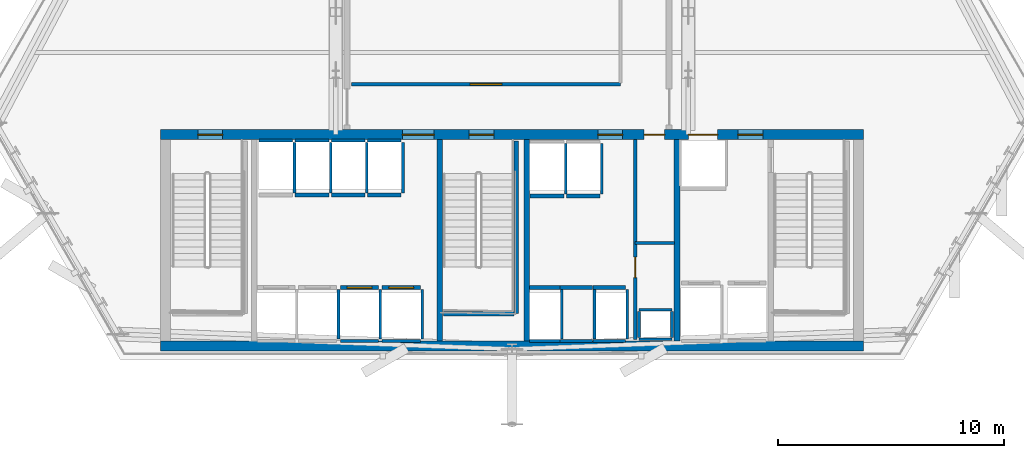
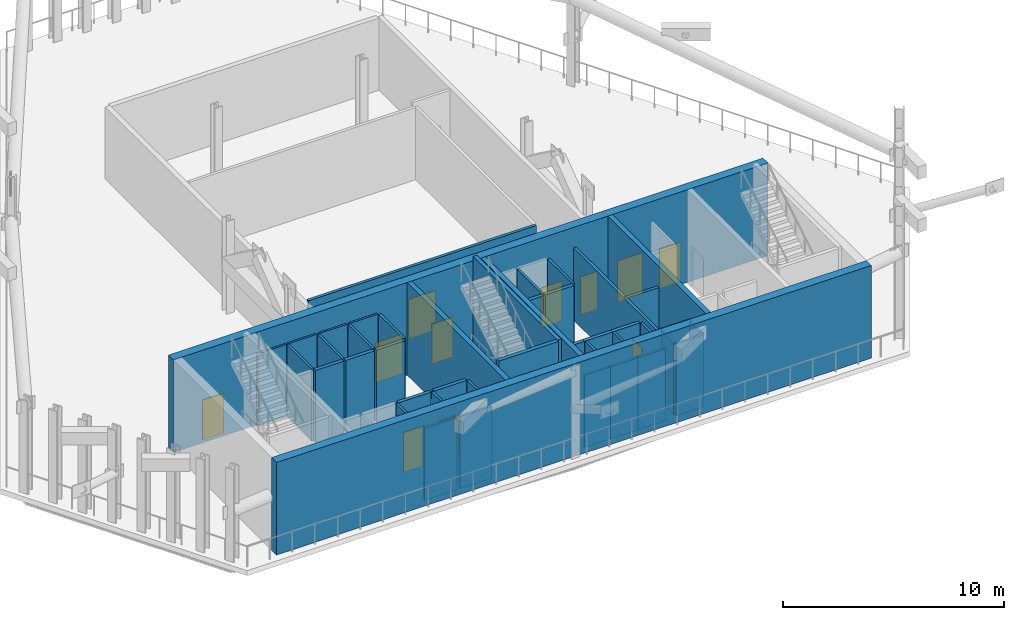
# One storey, part 4 of 11: 45 walls, 11 doors, 11 openings.
"""IFC4 building model written with IfcOpenShell, lengths in metres."""

from ifc_helpers import new_model, si_unit, direction, frame, frame_2d, origin, place, context, subcontext, project, spatial, rectangle, extrude, material, layer, layer_set, type_object, element, fill, save


model = new_model("IFC4")

# Units and contexts
model_context = context("Model", 3, precision=1e-05, world=origin(), true_north=direction((0.0, 1.0)))
body_context = subcontext(model_context, "Body", "Model", "MODEL_VIEW")
ifc_project = project(units=[si_unit("LENGTHUNIT", "METRE"), si_unit("AREAUNIT", "SQUARE_METRE"), si_unit("VOLUMEUNIT", "CUBIC_METRE"), si_unit("PLANEANGLEUNIT", "RADIAN"), si_unit("MASSUNIT", "GRAM", prefix="KILO")], contexts=[model_context])

# Site, building, storey
site_placement = place(None, origin())
site = spatial("IfcSite", under=ifc_project, at=site_placement, CompositionType="ELEMENT")
building_placement = place(site_placement, origin())
building = spatial("IfcBuilding", under=site, at=building_placement, Name="Ndaravel Arena Tower", CompositionType="ELEMENT")
storey_placement = place(building_placement, frame((0.0, 0.0, 112.0)))
storey = spatial("IfcBuildingStorey", under=building, at=storey_placement, Name="L26", CompositionType="ELEMENT", Elevation=112.0)

# Wall, opening, door
ifc_material_1 = material(Name="Gypsum", Category="gypsum")
ifc_layer_1 = layer(ifc_material_1, 0.14990234375)
ifc_layer_set_1 = layer_set([ifc_layer_1], Name="Gypsum")
wall_type_1 = type_object("IfcWallType", Name="WALL-COMP-150", PredefinedType="PARTITIONING", material=ifc_layer_set_1)
wall_1_placement = place(storey_placement, frame((47.449951171875, 5.89990234375, 0.0), z_axis=(0.0, 0.0, 1.0), x_axis=(0.0, 1.0, 0.0)))
wall_1 = element("IfcWall", 1, at=wall_1_placement, inside=storey, type_object=wall_type_1, Name="L26 Core Riser Bay Partition", PredefinedType="PARTITIONING", context=body_context, shape_type="SweptSolid", body=[
    extrude(rectangle(XDim=8.85009765625, YDim=0.14990234375, at=frame_2d((4.425048828125, 0.0))), origin(), (0.0, 0.0, 1.0), 3.989990234375),
])
opening_1_placement = place(wall_1_placement, frame((2.75, 0.0, 0.0)))
opening_1 = element("IfcOpeningElement", 2, at=opening_1_placement, cuts=wall_1, Name="Opening RD-01", PredefinedType="OPENING", context=body_context, shape_type="SweptSolid", body=[
    extrude(rectangle(XDim=0.89990234375, YDim=2.10009765625, at=frame_2d((0.449951171875, 1.050048828125))), frame((0.0, 0.074951171875, 0.0), z_axis=(0.0, -1.0, 0.0), x_axis=(1.0, 0.0, 0.0)), (0.0, 0.0, 1.0), 0.14990234375),
])
ifc_material_2 = material(Name="Steel S355", Category="steel")
door_type_1 = type_object("IfcDoorType", Name="DT-08-RISER-900", OperationType="SINGLE_SWING_LEFT", PredefinedType="DOOR", material=ifc_material_2)
door_1_placement = place(opening_1_placement, origin())
door_1 = element("IfcDoor", 3, at=door_1_placement, inside=storey, type_object=door_type_1, Name="L26 Electrical Riser Door", OperationType="SINGLE_SWING_RIGHT", OverallHeight=2.10009765625, OverallWidth=0.89990234375, PredefinedType="DOOR", context=body_context, shape_type="SweptSolid", body=[
    extrude(rectangle(XDim=0.89990234375, YDim=2.10009765625, at=frame_2d((0.449951171875, 1.050048828125))), frame((0.0, 0.02490234375, 0.0), z_axis=(0.0, -1.0, 0.0), x_axis=(1.0, 0.0, 0.0)), (0.0, 0.0, 1.0), 0.050048828125),
])
fill(opening_1, door_1)

# Wall
wall_2_placement = place(storey_placement, frame((47.449951171875, 10.179931640625, 0.0), z_axis=(0.0, 0.0, 1.0), x_axis=(1.0, 0.0, 0.0)))
element("IfcWall", 4, at=wall_2_placement, inside=storey, type_object=wall_type_1, Name="L26 Core Riser Divider 1", PredefinedType="PARTITIONING", context=body_context, shape_type="SweptSolid", body=[
    extrude(rectangle(XDim=1.72998046875, YDim=0.14990234375, at=frame_2d((0.864990234375, 0.0))), origin(), (0.0, 0.0, 1.0), 3.989990234375),
])

# Wall, opening, door
wall_3_placement = place(storey_placement, frame((34.89990234375, 17.199951171875, 0.0), z_axis=(0.0, 0.0, 1.0), x_axis=(1.0, 0.0, 0.0)))
wall_3 = element("IfcWall", 5, at=wall_3_placement, inside=storey, type_object=wall_type_1, Name="L26 Interior Partition 001", PredefinedType="PARTITIONING", context=body_context, shape_type="SweptSolid", body=[
    extrude(rectangle(XDim=11.900146484375, YDim=0.14990234375, at=frame_2d((5.9501953125, 0.0))), origin(), (0.0, 0.0, 1.0), 3.989990234375),
])
opening_2_placement = place(wall_3_placement, frame((5.25, 0.0, 0.0)))
opening_2 = element("IfcOpeningElement", 6, at=opening_2_placement, cuts=wall_3, Name="Opening ID-02", PredefinedType="OPENING", context=body_context, shape_type="SweptSolid", body=[
    extrude(rectangle(XDim=1.39990234375, YDim=2.199951171875, at=frame_2d((0.699951171875, 1.10009765625))), frame((0.0, 0.074951171875, 0.0), z_axis=(0.0, -1.0, 0.0), x_axis=(1.0, 0.0, 0.0)), (0.0, 0.0, 1.0), 0.14990234375),
])
ifc_material_3 = material(Name="Timber", Category="wood")
door_type_2 = type_object("IfcDoorType", Name="DT-04-SUITE-1400", OperationType="DOUBLE_DOOR_SINGLE_SWING", PredefinedType="DOOR", material=ifc_material_3)
door_2_placement = place(opening_2_placement, origin())
door_2 = element("IfcDoor", 7, at=door_2_placement, inside=storey, type_object=door_type_2, Name="L26 L26 Pressurized Fire Refuge Holding Area Door", OperationType="SINGLE_SWING_LEFT", OverallHeight=2.199951171875, OverallWidth=1.39990234375, PredefinedType="DOOR", context=body_context, shape_type="SweptSolid", body=[
    extrude(rectangle(XDim=1.39990234375, YDim=2.199951171875, at=frame_2d((0.699951171875, 1.10009765625))), frame((0.0, 0.02490234375, 0.0), z_axis=(0.0, -1.0, 0.0), x_axis=(1.0, 0.0, 0.0)), (0.0, 0.0, 1.0), 0.050048828125),
])
fill(opening_2, door_2)

# Walls
ifc_material_4 = material(Name="Concrete C60/75", Category="concrete")
ifc_layer_2 = layer(ifc_material_4, 0.25)
ifc_layer_set_2 = layer_set([ifc_layer_2], Name="Concrete C60/75")
wall_type_2 = type_object("IfcWallType", Name="WALL-CORE-250", PredefinedType="SOLIDWALL", material=ifc_layer_set_2)
for number, where, z_axis, x_axis, name in (
    (8, (38.800048828125, 5.85009765625, 0.0), (0.0, 0.0, 1.0), (0.0, 1.0, 0.0), "L26 Core Web Shear Wall 2"),
    (9, (42.64990234375, 5.85009765625, 0.0), (0.0, 0.0, 1.0), (0.0, 1.0, 0.0), "L26 Core Web Shear Wall 3"),
    (10, (49.300048828125, 5.85009765625, 0.0), (0.0, 0.0, 1.0), (0.0, 1.0, 0.0), "L26 Core Web Shear Wall 4"),
):
    element("IfcWall", number, at=place(storey_placement, frame(where, z_axis=z_axis, x_axis=x_axis)), inside=storey, type_object=wall_type_2, Name=name, PredefinedType="SOLIDWALL", context=body_context, shape_type="SweptSolid", body=[
        extrude(rectangle(XDim=8.89990234375, YDim=0.25, at=frame_2d((4.449951171875, 0.0))), origin(), (0.0, 0.0, 1.0), 5.1201171875),
    ])

# Wall, openings, doors
ifc_material_5 = material(Name="Concrete C60/75", Category="concrete")
ifc_layer_3 = layer(ifc_material_5, 0.449951171875)
ifc_layer_set_3 = layer_set([ifc_layer_3], Name="Concrete C60/75")
wall_type_3 = type_object("IfcWallType", Name="WALL-CORE-450", PredefinedType="SOLIDWALL", material=ifc_layer_set_3)
wall_4_placement = place(storey_placement, frame((26.449951171875, 14.97509765625, 0.0), z_axis=(0.0, 0.0, 1.0), x_axis=(1.0, 0.0, 0.0)))
wall_4 = element("IfcWall", 11, at=wall_4_placement, inside=storey, type_object=wall_type_3, Name="L26 Core North Shear Wall", PredefinedType="SOLIDWALL", context=body_context, shape_type="SweptSolid", body=[
    extrude(rectangle(XDim=31.10009765625, YDim=0.449951171875, at=frame_2d((15.550048828125, 0.0))), origin(), (0.0, 0.0, 1.0), 5.1201171875),
])
opening_3_placement = place(wall_4_placement, frame((1.64990234375, 0.0, 0.0)))
opening_3 = element("IfcOpeningElement", 12, at=opening_3_placement, cuts=wall_4, Name="Opening FD-01", PredefinedType="OPENING", context=body_context, shape_type="SweptSolid", body=[
    extrude(rectangle(XDim=1.10009765625, YDim=2.199951171875, at=frame_2d((0.550048828125, 1.10009765625))), frame((0.0, 0.22509765625, 0.0), z_axis=(0.0, -1.0, 0.0), x_axis=(1.0, 0.0, 0.0)), (0.0, 0.0, 1.0), 0.449951171875),
])
opening_4_placement = place(wall_4_placement, frame((13.64990234375, 0.0, 0.0)))
opening_4 = element("IfcOpeningElement", 13, at=opening_4_placement, cuts=wall_4, Name="Opening FD-01", PredefinedType="OPENING", context=body_context, shape_type="SweptSolid", body=[
    extrude(rectangle(XDim=1.10009765625, YDim=2.199951171875, at=frame_2d((0.550048828125, 1.10009765625))), frame((0.0, 0.22509765625, 0.0), z_axis=(0.0, -1.0, 0.0), x_axis=(1.0, 0.0, 0.0)), (0.0, 0.0, 1.0), 0.449951171875),
])
opening_5_placement = place(wall_4_placement, frame((25.550048828125, 0.0, 0.0)))
opening_5 = element("IfcOpeningElement", 14, at=opening_5_placement, cuts=wall_4, Name="Opening FD-01", PredefinedType="OPENING", context=body_context, shape_type="SweptSolid", body=[
    extrude(rectangle(XDim=1.10009765625, YDim=2.199951171875, at=frame_2d((0.550048828125, 1.10009765625))), frame((0.0, 0.22509765625, 0.0), z_axis=(0.0, -1.0, 0.0), x_axis=(1.0, 0.0, 0.0)), (0.0, 0.0, 1.0), 0.449951171875),
])
opening_6_placement = place(wall_4_placement, frame((10.699951171875, 0.0, 0.0)))
opening_6 = element("IfcOpeningElement", 15, at=opening_6_placement, cuts=wall_4, Name="Opening ID-02", PredefinedType="OPENING", context=body_context, shape_type="SweptSolid", body=[
    extrude(rectangle(XDim=1.39990234375, YDim=2.199951171875, at=frame_2d((0.699951171875, 1.10009765625))), frame((0.0, 0.22509765625, 0.0), z_axis=(0.0, -1.0, 0.0), x_axis=(1.0, 0.0, 0.0)), (0.0, 0.0, 1.0), 0.449951171875),
])
opening_7_placement = place(wall_4_placement, frame((19.35009765625, 0.0, 0.0)))
opening_7 = element("IfcOpeningElement", 16, at=opening_7_placement, cuts=wall_4, Name="Opening FD-01", PredefinedType="OPENING", context=body_context, shape_type="SweptSolid", body=[
    extrude(rectangle(XDim=1.10009765625, YDim=2.199951171875, at=frame_2d((0.550048828125, 1.10009765625))), frame((0.0, 0.22509765625, 0.0), z_axis=(0.0, -1.0, 0.0), x_axis=(1.0, 0.0, 0.0)), (0.0, 0.0, 1.0), 0.449951171875),
])
opening_8_placement = place(wall_4_placement, frame((21.39990234375, 0.0, 0.0)))
opening_8 = element("IfcOpeningElement", 17, at=opening_8_placement, cuts=wall_4, Name="Opening RD-01", PredefinedType="OPENING", context=body_context, shape_type="SweptSolid", body=[
    extrude(rectangle(XDim=0.89990234375, YDim=2.10009765625, at=frame_2d((0.449951171875, 1.050048828125))), frame((0.0, 0.22509765625, 0.0), z_axis=(0.0, -1.0, 0.0), x_axis=(1.0, 0.0, 0.0)), (0.0, 0.0, 1.0), 0.449951171875),
])
opening_9_placement = place(wall_4_placement, frame((23.35009765625, 0.0, 0.0)))
opening_9 = element("IfcOpeningElement", 18, at=opening_9_placement, cuts=wall_4, Name="Opening LD-02", PredefinedType="OPENING", context=body_context, shape_type="SweptSolid", body=[
    extrude(rectangle(XDim=1.300048828125, YDim=2.300048828125, at=frame_2d((0.64990234375, 1.14990234375))), frame((0.0, 0.22509765625, 0.0), z_axis=(0.0, -1.0, 0.0), x_axis=(1.0, 0.0, 0.0)), (0.0, 0.0, 1.0), 0.449951171875),
])
ifc_material_6 = material(Name="Steel S355", Category="steel")
door_type_3 = type_object("IfcDoorType", Name="DT-01-STAIR-1100", OperationType="SINGLE_SWING_LEFT", PredefinedType="DOOR", material=ifc_material_6)
door_3_placement = place(opening_3_placement, origin())
door_3 = element("IfcDoor", 19, at=door_3_placement, inside=storey, type_object=door_type_3, Name="L26 Exit Stair ST-1 Door", OperationType="SINGLE_SWING_LEFT", OverallHeight=2.199951171875, OverallWidth=1.10009765625, PredefinedType="DOOR", context=body_context, shape_type="SweptSolid", body=[
    extrude(rectangle(XDim=1.10009765625, YDim=2.199951171875, at=frame_2d((0.550048828125, 1.10009765625))), frame((0.0, 0.02490234375, 0.0), z_axis=(0.0, -1.0, 0.0), x_axis=(1.0, 0.0, 0.0)), (0.0, 0.0, 1.0), 0.050048828125),
])
fill(opening_3, door_3)
door_4_placement = place(opening_4_placement, origin())
door_4 = element("IfcDoor", 20, at=door_4_placement, inside=storey, type_object=door_type_3, Name="L26 Exit Stair ST-2 Door", OperationType="SINGLE_SWING_RIGHT", OverallHeight=2.199951171875, OverallWidth=1.10009765625, PredefinedType="DOOR", context=body_context, shape_type="SweptSolid", body=[
    extrude(rectangle(XDim=1.10009765625, YDim=2.199951171875, at=frame_2d((0.550048828125, 1.10009765625))), frame((0.0, 0.02490234375, 0.0), z_axis=(0.0, -1.0, 0.0), x_axis=(1.0, 0.0, 0.0)), (0.0, 0.0, 1.0), 0.050048828125),
])
fill(opening_4, door_4)
door_5_placement = place(opening_5_placement, origin())
door_5 = element("IfcDoor", 21, at=door_5_placement, inside=storey, type_object=door_type_3, Name="L26 Firefighting Lift Lobby Door", OperationType="SINGLE_SWING_RIGHT", OverallHeight=2.199951171875, OverallWidth=1.10009765625, PredefinedType="DOOR", context=body_context, shape_type="SweptSolid", body=[
    extrude(rectangle(XDim=1.10009765625, YDim=2.199951171875, at=frame_2d((0.550048828125, 1.10009765625))), frame((0.0, 0.02490234375, 0.0), z_axis=(0.0, -1.0, 0.0), x_axis=(1.0, 0.0, 0.0)), (0.0, 0.0, 1.0), 0.050048828125),
])
fill(opening_5, door_5)
door_6_placement = place(opening_7_placement, origin())
door_6 = element("IfcDoor", 22, at=door_6_placement, inside=storey, type_object=door_type_3, Name="L26 Express Lift Lobby Entry Door", OperationType="SINGLE_SWING_LEFT", OverallHeight=2.199951171875, OverallWidth=1.10009765625, PredefinedType="DOOR", context=body_context, shape_type="SweptSolid", body=[
    extrude(rectangle(XDim=1.10009765625, YDim=2.199951171875, at=frame_2d((0.550048828125, 1.10009765625))), frame((0.0, 0.02490234375, 0.0), z_axis=(0.0, -1.0, 0.0), x_axis=(1.0, 0.0, 0.0)), (0.0, 0.0, 1.0), 0.050048828125),
])
fill(opening_7, door_6)
door_7_placement = place(opening_6_placement, origin())
door_7 = element("IfcDoor", 23, at=door_7_placement, inside=storey, type_object=door_type_2, Name="L26 West Lift Lobby Entry Door", OperationType="DOUBLE_DOOR_SINGLE_SWING", OverallHeight=2.199951171875, OverallWidth=1.39990234375, PredefinedType="DOOR", context=body_context, shape_type="SweptSolid", body=[
    extrude(rectangle(XDim=1.39990234375, YDim=2.199951171875, at=frame_2d((0.699951171875, 1.10009765625))), frame((0.0, 0.02490234375, 0.0), z_axis=(0.0, -1.0, 0.0), x_axis=(1.0, 0.0, 0.0)), (0.0, 0.0, 1.0), 0.050048828125),
])
fill(opening_6, door_7)
ifc_material_7 = material(Name="Steel S355", Category="steel")
door_type_4 = type_object("IfcDoorType", Name="DT-07-SVLIFT-1300", OperationType="DOUBLE_DOOR_SLIDING", PredefinedType="DOOR", material=ifc_material_7)
door_8_placement = place(opening_9_placement, origin())
door_8 = element("IfcDoor", 24, at=door_8_placement, inside=storey, type_object=door_type_4, Name="L26 Lift SVL-1 Sliding Landing Door", OperationType="DOUBLE_DOOR_SLIDING", OverallHeight=2.300048828125, OverallWidth=1.300048828125, PredefinedType="DOOR", context=body_context, shape_type="SweptSolid", body=[
    extrude(rectangle(XDim=1.300048828125, YDim=2.300048828125, at=frame_2d((0.64990234375, 1.14990234375))), frame((0.0, 0.02490234375, 0.0), z_axis=(0.0, -1.0, 0.0), x_axis=(1.0, 0.0, 0.0)), (0.0, 0.0, 1.0), 0.050048828125),
])
fill(opening_9, door_8)
door_9_placement = place(opening_8_placement, origin())
door_9 = element("IfcDoor", 25, at=door_9_placement, inside=storey, type_object=door_type_1, Name="L26 Core Service Riser North Door", OperationType="SINGLE_SWING_LEFT", OverallHeight=2.10009765625, OverallWidth=0.89990234375, PredefinedType="DOOR", context=body_context, shape_type="SweptSolid", body=[
    extrude(rectangle(XDim=0.89990234375, YDim=2.10009765625, at=frame_2d((0.449951171875, 1.050048828125))), frame((0.0, 0.02490234375, 0.0), z_axis=(0.0, -1.0, 0.0), x_axis=(1.0, 0.0, 0.0)), (0.0, 0.0, 1.0), 0.050048828125),
])
fill(opening_8, door_9)

# Walls
wall_5_placement = place(storey_placement, frame((26.449951171875, 5.625, 0.0), z_axis=(0.0, 0.0, 1.0), x_axis=(1.0, 0.0, 0.0)))
element("IfcWall", 26, at=wall_5_placement, inside=storey, type_object=wall_type_3, Name="L26 Core South Shear Wall", PredefinedType="SOLIDWALL", context=body_context, shape_type="SweptSolid", body=[
    extrude(rectangle(XDim=31.10009765625, YDim=0.449951171875, at=frame_2d((15.550048828125, 0.0))), origin(), (0.0, 0.0, 1.0), 5.1201171875),
])
ifc_material_8 = material(Name="Concrete C40/50", Category="concrete")
ifc_layer_4 = layer(ifc_material_8, 0.1201171875)
ifc_layer_set_4 = layer_set([ifc_layer_4], Name="Concrete C40/50")
wall_type_4 = type_object("IfcWallType", Name="WALL-SHAFT-120", PredefinedType="SOLIDWALL", material=ifc_layer_set_4)
for number, where, z_axis, x_axis, name in (
    (27, (47.6201171875, 5.919921875, 0.0), (0.0, 0.0, 1.0), (1.0, 0.0, 0.0), "L26 MEP Riser Shaft S Wall"),
    (28, (47.6201171875, 7.219970703125, 0.0), (0.0, 0.0, 1.0), (1.0, 0.0, 0.0), "L26 MEP Riser Shaft N Wall"),
):
    element("IfcWall", number, at=place(storey_placement, frame(where, z_axis=z_axis, x_axis=x_axis)), inside=storey, type_object=wall_type_4, Name=name, PredefinedType="SOLIDWALL", context=body_context, shape_type="SweptSolid", body=[
        extrude(rectangle(XDim=1.4599609375, YDim=0.1201171875, at=frame_2d((0.72998046875, 0.0))), origin(), (0.0, 0.0, 1.0), 3.989990234375),
    ])
for number, where, z_axis, x_axis, name in (
    (29, (47.6201171875, 6.0, 0.0), (0.0, 0.0, 1.0), (0.0, 1.0, 0.0), "L26 MEP Riser Shaft W Wall"),
    (30, (49.080078125, 6.0, 0.0), (0.0, 0.0, 1.0), (0.0, 1.0, 0.0), "L26 MEP Riser Shaft E Wall"),
):
    element("IfcWall", number, at=place(storey_placement, frame(where, z_axis=z_axis, x_axis=x_axis)), inside=storey, type_object=wall_type_4, Name=name, PredefinedType="SOLIDWALL", context=body_context, shape_type="SweptSolid", body=[
        extrude(rectangle(XDim=1.139892578125, YDim=0.1201171875, at=frame_2d((0.56982421875, 0.0))), origin(), (0.0, 0.0, 1.0), 3.989990234375),
    ])
wall_6_placement = place(storey_placement, frame((34.324951171875, 5.929931640625, 0.0), z_axis=(0.0, 0.0, 1.0), x_axis=(0.0, 1.0, 0.0)))
element("IfcWall", 31, at=wall_6_placement, inside=storey, type_object=wall_type_4, Name="L26 PL-L2 Shaft Side R Wall", PredefinedType="SOLIDWALL", context=body_context, shape_type="SweptSolid", body=[
    extrude(rectangle(XDim=2.18017578125, YDim=0.1201171875, at=frame_2d((1.090087890625, 0.0))), origin(), (0.0, 0.0, 1.0), 3.989990234375),
])
wall_7_placement = place(storey_placement, frame((34.405029296875, 5.840087890625, 0.0), z_axis=(0.0, 0.0, 1.0), x_axis=(1.0, 0.0, 0.0)))
element("IfcWall", 32, at=wall_7_placement, inside=storey, type_object=wall_type_4, Name="L26 PL-L3 Shaft Rear Wall", PredefinedType="SOLIDWALL", context=body_context, shape_type="SweptSolid", body=[
    extrude(rectangle(XDim=1.68994140625, YDim=0.1201171875, at=frame_2d((0.844970703125, 0.0))), origin(), (0.0, 0.0, 1.0), 3.989990234375),
])
wall_8_placement = place(storey_placement, frame((36.175048828125, 5.929931640625, 0.0), z_axis=(0.0, 0.0, 1.0), x_axis=(0.0, 1.0, 0.0)))
element("IfcWall", 33, at=wall_8_placement, inside=storey, type_object=wall_type_4, Name="L26 PL-L3 Shaft Side R Wall", PredefinedType="SOLIDWALL", context=body_context, shape_type="SweptSolid", body=[
    extrude(rectangle(XDim=2.18017578125, YDim=0.1201171875, at=frame_2d((1.090087890625, 0.0))), origin(), (0.0, 0.0, 1.0), 3.989990234375),
])
wall_9_placement = place(storey_placement, frame((36.2548828125, 5.840087890625, 0.0), z_axis=(0.0, 0.0, 1.0), x_axis=(1.0, 0.0, 0.0)))
element("IfcWall", 34, at=wall_9_placement, inside=storey, type_object=wall_type_4, Name="L26 PL-L4 Shaft Rear Wall", PredefinedType="SOLIDWALL", context=body_context, shape_type="SweptSolid", body=[
    extrude(rectangle(XDim=1.690185546875, YDim=0.1201171875, at=frame_2d((0.84521484375, 0.0))), origin(), (0.0, 0.0, 1.0), 3.989990234375),
])
wall_10_placement = place(storey_placement, frame((38.02490234375, 5.929931640625, 0.0), z_axis=(0.0, 0.0, 1.0), x_axis=(0.0, 1.0, 0.0)))
element("IfcWall", 35, at=wall_10_placement, inside=storey, type_object=wall_type_4, Name="L26 PL-L4 Shaft Side R Wall", PredefinedType="SOLIDWALL", context=body_context, shape_type="SweptSolid", body=[
    extrude(rectangle(XDim=2.18017578125, YDim=0.1201171875, at=frame_2d((1.090087890625, 0.0))), origin(), (0.0, 0.0, 1.0), 3.989990234375),
])
wall_11_placement = place(storey_placement, frame((30.804931640625, 14.7099609375, 0.0), z_axis=(0.0, 0.0, 1.0), x_axis=(1.0, 0.0, 0.0)))
element("IfcWall", 36, at=wall_11_placement, inside=storey, type_object=wall_type_4, Name="L26 PL-M1 Shaft Rear Wall", PredefinedType="SOLIDWALL", context=body_context, shape_type="SweptSolid", body=[
    extrude(rectangle(XDim=1.489990234375, YDim=0.1201171875, at=frame_2d((0.7451171875, 0.0))), origin(), (0.0, 0.0, 1.0), 3.989990234375),
])
wall_12_placement = place(storey_placement, frame((32.375, 12.389892578125, 0.0), z_axis=(0.0, 0.0, 1.0), x_axis=(0.0, 1.0, 0.0)))
element("IfcWall", 37, at=wall_12_placement, inside=storey, type_object=wall_type_4, Name="L26 PL-M1 Shaft Side R Wall", PredefinedType="SOLIDWALL", context=body_context, shape_type="SweptSolid", body=[
    extrude(rectangle(XDim=2.230224609375, YDim=0.1201171875, at=frame_2d((1.115234375, 0.0))), origin(), (0.0, 0.0, 1.0), 3.989990234375),
])
wall_13_placement = place(storey_placement, frame((32.405029296875, 14.7099609375, 0.0), z_axis=(0.0, 0.0, 1.0), x_axis=(1.0, 0.0, 0.0)))
element("IfcWall", 38, at=wall_13_placement, inside=storey, type_object=wall_type_4, Name="L26 PL-M2 Shaft Rear Wall", PredefinedType="SOLIDWALL", context=body_context, shape_type="SweptSolid", body=[
    extrude(rectangle(XDim=1.489990234375, YDim=0.1201171875, at=frame_2d((0.7451171875, 0.0))), origin(), (0.0, 0.0, 1.0), 3.989990234375),
])
wall_14_placement = place(storey_placement, frame((33.97509765625, 12.389892578125, 0.0), z_axis=(0.0, 0.0, 1.0), x_axis=(0.0, 1.0, 0.0)))
element("IfcWall", 39, at=wall_14_placement, inside=storey, type_object=wall_type_4, Name="L26 PL-M2 Shaft Side R Wall", PredefinedType="SOLIDWALL", context=body_context, shape_type="SweptSolid", body=[
    extrude(rectangle(XDim=2.230224609375, YDim=0.1201171875, at=frame_2d((1.115234375, 0.0))), origin(), (0.0, 0.0, 1.0), 3.989990234375),
])
wall_15_placement = place(storey_placement, frame((34.0048828125, 14.7099609375, 0.0), z_axis=(0.0, 0.0, 1.0), x_axis=(1.0, 0.0, 0.0)))
element("IfcWall", 40, at=wall_15_placement, inside=storey, type_object=wall_type_4, Name="L26 PL-M3 Shaft Rear Wall", PredefinedType="SOLIDWALL", context=body_context, shape_type="SweptSolid", body=[
    extrude(rectangle(XDim=1.490234375, YDim=0.1201171875, at=frame_2d((0.7451171875, 0.0))), origin(), (0.0, 0.0, 1.0), 3.989990234375),
])
wall_16_placement = place(storey_placement, frame((35.574951171875, 12.389892578125, 0.0), z_axis=(0.0, 0.0, 1.0), x_axis=(0.0, 1.0, 0.0)))
element("IfcWall", 41, at=wall_16_placement, inside=storey, type_object=wall_type_4, Name="L26 PL-M3 Shaft Side R Wall", PredefinedType="SOLIDWALL", context=body_context, shape_type="SweptSolid", body=[
    extrude(rectangle(XDim=2.230224609375, YDim=0.1201171875, at=frame_2d((1.115234375, 0.0))), origin(), (0.0, 0.0, 1.0), 3.989990234375),
])
wall_17_placement = place(storey_placement, frame((35.60498046875, 14.7099609375, 0.0), z_axis=(0.0, 0.0, 1.0), x_axis=(1.0, 0.0, 0.0)))
element("IfcWall", 42, at=wall_17_placement, inside=storey, type_object=wall_type_4, Name="L26 PL-M4 Shaft Rear Wall", PredefinedType="SOLIDWALL", context=body_context, shape_type="SweptSolid", body=[
    extrude(rectangle(XDim=1.489990234375, YDim=0.1201171875, at=frame_2d((0.7451171875, 0.0))), origin(), (0.0, 0.0, 1.0), 3.989990234375),
])
wall_18_placement = place(storey_placement, frame((37.175048828125, 12.389892578125, 0.0), z_axis=(0.0, 0.0, 1.0), x_axis=(0.0, 1.0, 0.0)))
element("IfcWall", 43, at=wall_18_placement, inside=storey, type_object=wall_type_4, Name="L26 PL-M4 Shaft Side R Wall", PredefinedType="SOLIDWALL", context=body_context, shape_type="SweptSolid", body=[
    extrude(rectangle(XDim=2.230224609375, YDim=0.1201171875, at=frame_2d((1.115234375, 0.0))), origin(), (0.0, 0.0, 1.0), 3.989990234375),
])
wall_19_placement = place(storey_placement, frame((42.780029296875, 5.840087890625, 0.0), z_axis=(0.0, 0.0, 1.0), x_axis=(1.0, 0.0, 0.0)))
element("IfcWall", 44, at=wall_19_placement, inside=storey, type_object=wall_type_4, Name="L26 PL-H1 Shaft Rear Wall", PredefinedType="SOLIDWALL", context=body_context, shape_type="SweptSolid", body=[
    extrude(rectangle(XDim=1.340087890625, YDim=0.1201171875, at=frame_2d((0.669921875, 0.0))), origin(), (0.0, 0.0, 1.0), 3.989990234375),
])
wall_20_placement = place(storey_placement, frame((44.199951171875, 5.929931640625, 0.0), z_axis=(0.0, 0.0, 1.0), x_axis=(0.0, 1.0, 0.0)))
element("IfcWall", 45, at=wall_20_placement, inside=storey, type_object=wall_type_4, Name="L26 PL-H1 Shaft Side R Wall", PredefinedType="SOLIDWALL", context=body_context, shape_type="SweptSolid", body=[
    extrude(rectangle(XDim=2.18017578125, YDim=0.1201171875, at=frame_2d((1.090087890625, 0.0))), origin(), (0.0, 0.0, 1.0), 3.989990234375),
])
wall_21_placement = place(storey_placement, frame((44.1298828125, 5.840087890625, 0.0), z_axis=(0.0, 0.0, 1.0), x_axis=(1.0, 0.0, 0.0)))
element("IfcWall", 46, at=wall_21_placement, inside=storey, type_object=wall_type_4, Name="L26 PL-H2 Shaft Rear Wall", PredefinedType="SOLIDWALL", context=body_context, shape_type="SweptSolid", body=[
    extrude(rectangle(XDim=1.440185546875, YDim=0.1201171875, at=frame_2d((0.72021484375, 0.0))), origin(), (0.0, 0.0, 1.0), 3.989990234375),
])
wall_22_placement = place(storey_placement, frame((45.64990234375, 5.929931640625, 0.0), z_axis=(0.0, 0.0, 1.0), x_axis=(0.0, 1.0, 0.0)))
element("IfcWall", 47, at=wall_22_placement, inside=storey, type_object=wall_type_4, Name="L26 PL-H2 Shaft Side R Wall", PredefinedType="SOLIDWALL", context=body_context, shape_type="SweptSolid", body=[
    extrude(rectangle(XDim=2.18017578125, YDim=0.1201171875, at=frame_2d((1.090087890625, 0.0))), origin(), (0.0, 0.0, 1.0), 3.989990234375),
])
wall_23_placement = place(storey_placement, frame((45.580078125, 5.840087890625, 0.0), z_axis=(0.0, 0.0, 1.0), x_axis=(1.0, 0.0, 0.0)))
element("IfcWall", 48, at=wall_23_placement, inside=storey, type_object=wall_type_4, Name="L26 PL-H3 Shaft Rear Wall", PredefinedType="SOLIDWALL", context=body_context, shape_type="SweptSolid", body=[
    extrude(rectangle(XDim=1.43994140625, YDim=0.1201171875, at=frame_2d((0.719970703125, 0.0))), origin(), (0.0, 0.0, 1.0), 3.989990234375),
])
wall_24_placement = place(storey_placement, frame((47.10009765625, 5.929931640625, 0.0), z_axis=(0.0, 0.0, 1.0), x_axis=(0.0, 1.0, 0.0)))
element("IfcWall", 49, at=wall_24_placement, inside=storey, type_object=wall_type_4, Name="L26 PL-H3 Shaft Side R Wall", PredefinedType="SOLIDWALL", context=body_context, shape_type="SweptSolid", body=[
    extrude(rectangle(XDim=2.18017578125, YDim=0.1201171875, at=frame_2d((1.090087890625, 0.0))), origin(), (0.0, 0.0, 1.0), 3.989990234375),
])
for number, where, z_axis, x_axis, name in (
    (50, (44.375, 12.340087890625, 0.0), (0.0, 0.0, 1.0), (0.0, 1.0, 0.0), "L26 PL-OBS1 Shaft Side R Wall"),
    (51, (45.97509765625, 12.340087890625, 0.0), (0.0, 0.0, 1.0), (0.0, 1.0, 0.0), "L26 PL-OBS2 Shaft Side R Wall"),
):
    element("IfcWall", number, at=place(storey_placement, frame(where, z_axis=z_axis, x_axis=x_axis)), inside=storey, type_object=wall_type_4, Name=name, PredefinedType="SOLIDWALL", context=body_context, shape_type="SweptSolid", body=[
        extrude(rectangle(XDim=2.22998046875, YDim=0.1201171875, at=frame_2d((1.114990234375, 0.0))), origin(), (0.0, 0.0, 1.0), 3.989990234375),
    ])
ifc_material_9 = material(Name="Concrete C40/50", Category="concrete")
ifc_layer_5 = layer(ifc_material_9, 0.199951171875)
ifc_layer_set_5 = layer_set([ifc_layer_5], Name="Concrete C40/50")
wall_type_5 = type_object("IfcWallType", Name="WALL-SHAFT-200", PredefinedType="SOLIDWALL", material=ifc_layer_set_5)
wall_25_placement = place(storey_placement, frame((42.18994140625, 14.699951171875, 0.0), z_axis=(0.0, 0.0, 1.0), x_axis=(0.0, -1.0, 0.0)))
element("IfcWall", 52, at=wall_25_placement, inside=storey, type_object=wall_type_5, Name="L26 ST-2 Structural Shaft Wall Right", PredefinedType="SOLIDWALL", context=body_context, shape_type="SweptSolid", body=[
    extrude(rectangle(XDim=7.64990234375, YDim=0.199951171875, at=frame_2d((3.824951171875, 0.0))), origin(), (0.0, 0.0, 1.0), 5.39990234375),
])
wall_26_placement = place(storey_placement, frame((38.969970703125, 7.050048828125, 0.0), z_axis=(0.0, 0.0, 1.0), x_axis=(1.0, 0.0, 0.0)))
element("IfcWall", 53, at=wall_26_placement, inside=storey, type_object=wall_type_5, Name="L26 ST-2 Structural Shaft Wall Far", PredefinedType="SOLIDWALL", context=body_context, shape_type="SweptSolid", body=[
    extrude(rectangle(XDim=3.114990234375, YDim=0.199951171875, at=frame_2d((1.5576171875, 0.0))), origin(), (0.0, 0.0, 1.0), 5.39990234375),
])

# Wall, opening, door
wall_27_placement = place(storey_placement, frame((34.405029296875, 8.199951171875, 0.0), z_axis=(0.0, 0.0, 1.0), x_axis=(1.0, 0.0, 0.0)))
wall_27 = element("IfcWall", 54, at=wall_27_placement, inside=storey, type_object=wall_type_5, Name="L26 PL-L3 Shaft Landing Wall", PredefinedType="SOLIDWALL", context=body_context, shape_type="SweptSolid", body=[
    extrude(rectangle(XDim=1.68994140625, YDim=0.179931640625, at=frame_2d((0.844970703125, 0.0))), origin(), (0.0, 0.0, 1.0), 3.989990234375),
])
opening_10_placement = place(wall_27_placement, frame((0.294921875, 0.0, 0.0)))
opening_10 = element("IfcOpeningElement", 55, at=opening_10_placement, cuts=wall_27, Name="Opening LD-01", PredefinedType="OPENING", context=body_context, shape_type="SweptSolid", body=[
    extrude(rectangle(XDim=1.10009765625, YDim=2.199951171875, at=frame_2d((0.550048828125, 1.10009765625))), frame((0.0, 0.08984375, 0.0), z_axis=(0.0, -1.0, 0.0), x_axis=(1.0, 0.0, 0.0)), (0.0, 0.0, 1.0), 0.179931640625),
])
ifc_material_10 = material(Name="Steel S355", Category="steel")
door_type_5 = type_object("IfcDoorType", Name="DT-06-LIFT-1100", OperationType="SLIDING_TO_LEFT", PredefinedType="DOOR", material=ifc_material_10)
door_10_placement = place(opening_10_placement, origin())
door_10 = element("IfcDoor", 56, at=door_10_placement, inside=storey, type_object=door_type_5, Name="L26 Lift PL-L3 Sliding Landing Door", OperationType="SLIDING_TO_LEFT", OverallHeight=2.199951171875, OverallWidth=1.10009765625, PredefinedType="DOOR", context=body_context, shape_type="SweptSolid", body=[
    extrude(rectangle(XDim=1.10009765625, YDim=2.199951171875, at=frame_2d((0.550048828125, 1.10009765625))), frame((0.0, 0.02490234375, 0.0), z_axis=(0.0, -1.0, 0.0), x_axis=(1.0, 0.0, 0.0)), (0.0, 0.0, 1.0), 0.050048828125),
])
fill(opening_10, door_10)

wall_28_placement = place(storey_placement, frame((36.2548828125, 8.199951171875, 0.0), z_axis=(0.0, 0.0, 1.0), x_axis=(1.0, 0.0, 0.0)))
wall_28 = element("IfcWall", 57, at=wall_28_placement, inside=storey, type_object=wall_type_5, Name="L26 PL-L4 Shaft Landing Wall", PredefinedType="SOLIDWALL", context=body_context, shape_type="SweptSolid", body=[
    extrude(rectangle(XDim=1.690185546875, YDim=0.179931640625, at=frame_2d((0.84521484375, 0.0))), origin(), (0.0, 0.0, 1.0), 3.989990234375),
])
opening_11_placement = place(wall_28_placement, frame((0.294921875, 0.0, 0.0)))
opening_11 = element("IfcOpeningElement", 58, at=opening_11_placement, cuts=wall_28, Name="Opening LD-01", PredefinedType="OPENING", context=body_context, shape_type="SweptSolid", body=[
    extrude(rectangle(XDim=1.10009765625, YDim=2.199951171875, at=frame_2d((0.550048828125, 1.10009765625))), frame((0.0, 0.08984375, 0.0), z_axis=(0.0, -1.0, 0.0), x_axis=(1.0, 0.0, 0.0)), (0.0, 0.0, 1.0), 0.179931640625),
])
door_11_placement = place(opening_11_placement, origin())
door_11 = element("IfcDoor", 59, at=door_11_placement, inside=storey, type_object=door_type_5, Name="L26 Lift PL-L4 Sliding Landing Door", OperationType="SLIDING_TO_LEFT", OverallHeight=2.199951171875, OverallWidth=1.10009765625, PredefinedType="DOOR", context=body_context, shape_type="SweptSolid", body=[
    extrude(rectangle(XDim=1.10009765625, YDim=2.199951171875, at=frame_2d((0.550048828125, 1.10009765625))), frame((0.0, 0.02490234375, 0.0), z_axis=(0.0, -1.0, 0.0), x_axis=(1.0, 0.0, 0.0)), (0.0, 0.0, 1.0), 0.050048828125),
])
fill(opening_11, door_11)

# Walls
wall_29_placement = place(storey_placement, frame((32.405029296875, 12.300048828125, 0.0), z_axis=(0.0, 0.0, 1.0), x_axis=(1.0, 0.0, 0.0)))
element("IfcWall", 60, at=wall_29_placement, inside=storey, type_object=wall_type_5, Name="L26 PL-M2 Shaft Landing Wall", PredefinedType="SOLIDWALL", context=body_context, shape_type="SweptSolid", body=[
    extrude(rectangle(XDim=1.489990234375, YDim=0.179931640625, at=frame_2d((0.7451171875, 0.0))), origin(), (0.0, 0.0, 1.0), 3.989990234375),
])
wall_30_placement = place(storey_placement, frame((34.0048828125, 12.300048828125, 0.0), z_axis=(0.0, 0.0, 1.0), x_axis=(1.0, 0.0, 0.0)))
element("IfcWall", 61, at=wall_30_placement, inside=storey, type_object=wall_type_5, Name="L26 PL-M3 Shaft Landing Wall", PredefinedType="SOLIDWALL", context=body_context, shape_type="SweptSolid", body=[
    extrude(rectangle(XDim=1.490234375, YDim=0.179931640625, at=frame_2d((0.7451171875, 0.0))), origin(), (0.0, 0.0, 1.0), 3.989990234375),
])
wall_31_placement = place(storey_placement, frame((35.60498046875, 12.300048828125, 0.0), z_axis=(0.0, 0.0, 1.0), x_axis=(1.0, 0.0, 0.0)))
element("IfcWall", 62, at=wall_31_placement, inside=storey, type_object=wall_type_5, Name="L26 PL-M4 Shaft Landing Wall", PredefinedType="SOLIDWALL", context=body_context, shape_type="SweptSolid", body=[
    extrude(rectangle(XDim=1.489990234375, YDim=0.179931640625, at=frame_2d((0.7451171875, 0.0))), origin(), (0.0, 0.0, 1.0), 3.989990234375),
])
wall_32_placement = place(storey_placement, frame((42.780029296875, 8.199951171875, 0.0), z_axis=(0.0, 0.0, 1.0), x_axis=(1.0, 0.0, 0.0)))
element("IfcWall", 63, at=wall_32_placement, inside=storey, type_object=wall_type_5, Name="L26 PL-H1 Shaft Landing Wall", PredefinedType="SOLIDWALL", context=body_context, shape_type="SweptSolid", body=[
    extrude(rectangle(XDim=1.340087890625, YDim=0.179931640625, at=frame_2d((0.669921875, 0.0))), origin(), (0.0, 0.0, 1.0), 3.989990234375),
])
wall_33_placement = place(storey_placement, frame((44.1298828125, 8.199951171875, 0.0), z_axis=(0.0, 0.0, 1.0), x_axis=(1.0, 0.0, 0.0)))
element("IfcWall", 64, at=wall_33_placement, inside=storey, type_object=wall_type_5, Name="L26 PL-H2 Shaft Landing Wall", PredefinedType="SOLIDWALL", context=body_context, shape_type="SweptSolid", body=[
    extrude(rectangle(XDim=1.440185546875, YDim=0.179931640625, at=frame_2d((0.72021484375, 0.0))), origin(), (0.0, 0.0, 1.0), 3.989990234375),
])
wall_34_placement = place(storey_placement, frame((45.580078125, 8.199951171875, 0.0), z_axis=(0.0, 0.0, 1.0), x_axis=(1.0, 0.0, 0.0)))
element("IfcWall", 65, at=wall_34_placement, inside=storey, type_object=wall_type_5, Name="L26 PL-H3 Shaft Landing Wall", PredefinedType="SOLIDWALL", context=body_context, shape_type="SweptSolid", body=[
    extrude(rectangle(XDim=1.43994140625, YDim=0.179931640625, at=frame_2d((0.719970703125, 0.0))), origin(), (0.0, 0.0, 1.0), 3.989990234375),
])
for number, where, z_axis, x_axis, name in (
    (66, (42.804931640625, 12.25, 0.0), (0.0, 0.0, 1.0), (1.0, 0.0, 0.0), "L26 PL-OBS1 Shaft Landing Wall"),
    (67, (44.405029296875, 12.25, 0.0), (0.0, 0.0, 1.0), (1.0, 0.0, 0.0), "L26 PL-OBS2 Shaft Landing Wall"),
):
    element("IfcWall", number, at=place(storey_placement, frame(where, z_axis=z_axis, x_axis=x_axis)), inside=storey, type_object=wall_type_5, Name=name, PredefinedType="SOLIDWALL", context=body_context, shape_type="SweptSolid", body=[
        extrude(rectangle(XDim=1.489990234375, YDim=0.179931640625, at=frame_2d((0.7451171875, 0.0))), origin(), (0.0, 0.0, 1.0), 3.989990234375),
    ])

save(model, "model.ifc")
